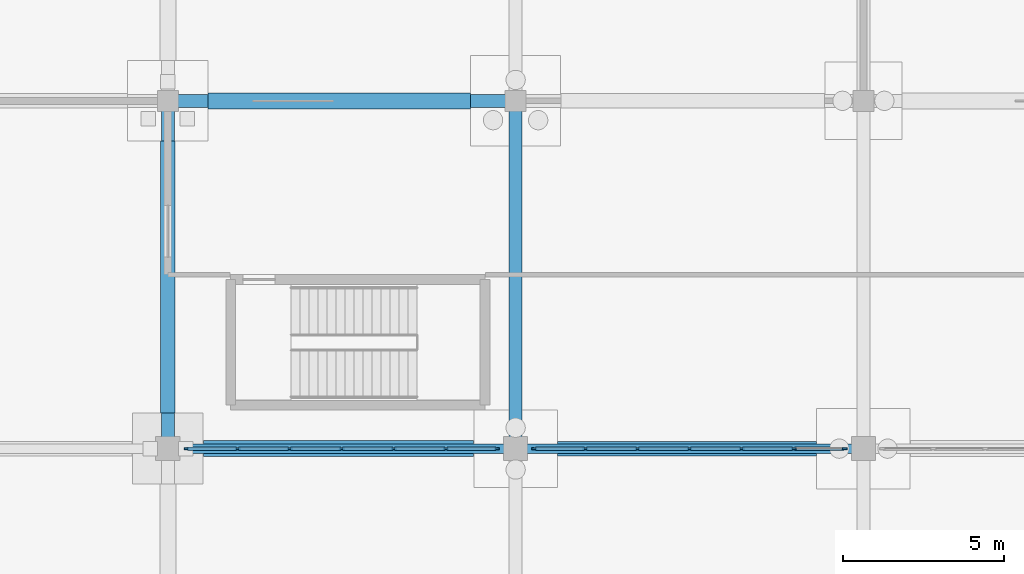
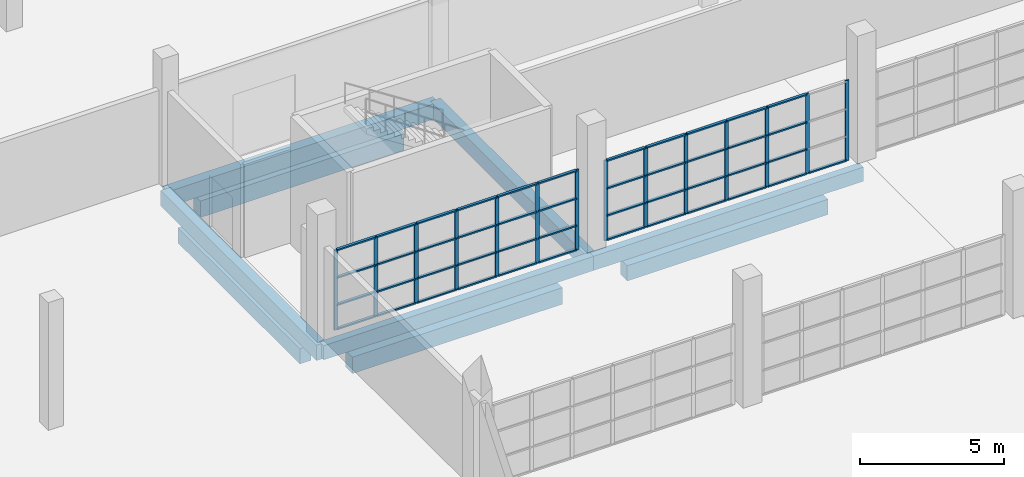
# One storey, part 53 of 138: 59 members, 9 beams, 2 elements without a shape of their own.
"""IFC4 building model written with IfcOpenShell, lengths in metres."""

from ifc_helpers import new_model, si_unit, direction, frame, origin, origin_2d, place, context, subcontext, project, spatial, rectangle, extrude, material, material_profile, profile_set, type_object, element, aggregate, save


model = new_model("IFC4")

# Units and contexts
model_context = context("Model", 3, precision=1e-05, world=origin(), true_north=direction((0.0, 1.0)))
body_context = subcontext(model_context, "Body", "Model", "MODEL_VIEW")
ifc_project = project(units=[si_unit("LENGTHUNIT", "METRE"), si_unit("AREAUNIT", "SQUARE_METRE"), si_unit("VOLUMEUNIT", "CUBIC_METRE"), si_unit("PLANEANGLEUNIT", "RADIAN"), si_unit("MASSUNIT", "GRAM", prefix="KILO")], contexts=[model_context])

# Site, building, storey
site_placement = place(None, origin())
site = spatial("IfcSite", under=ifc_project, at=site_placement, CompositionType="ELEMENT")
building_placement = place(site_placement, origin())
building = spatial("IfcBuilding", under=site, at=building_placement, Name="Zwinboog Wholesale Market", CompositionType="ELEMENT")
storey_placement = place(building_placement, origin())
storey = spatial("IfcBuildingStorey", under=building, at=storey_placement, Name="L00", CompositionType="ELEMENT", Elevation=0.0)

# Beams
ifc_material_1 = material(Name="Precast concrete C45/55", Category="concrete")
ifc_material_profile_1 = material_profile(ifc_material_1, rectangle(XDim=0.39990234375, YDim=0.64990234375, at=origin_2d()), Name="PC 400x650")
ifc_profile_set_1 = profile_set([ifc_material_profile_1], Name="Precast concrete C45/55")
beam_type_1 = type_object("IfcBeamType", Name="BT-05", PredefinedType="BEAM", material=ifc_profile_set_1)
for number, where, z_axis, x_axis, name in (
    (1, (64.800048828125, 108.0, -0.719970703125), (1.0, 0.0, 0.0), (0.0, 1.0, 0.0), "BG-05 (BMG-L00-0648-1080-0157)"),
    (2, (64.800048828125, 97.199951171875, -0.719970703125), (0.0, 1.0, 0.0), (-1.0, 0.0, 0.0), "BG-05 (BMG-L00-0648-0972-0282)"),
    (3, (75.60009765625, 97.199951171875, -0.719970703125), (0.0, 1.0, 0.0), (-1.0, 0.0, 0.0), "BG-05 (BMG-L00-0756-0972-0290)"),
):
    element("IfcBeam", number, at=place(storey_placement, frame(where, z_axis=z_axis, x_axis=x_axis)), inside=storey, type_object=beam_type_1, Name=name, PredefinedType="BEAM", context=body_context, shape_type="SweptSolid", body=[
        extrude(rectangle(XDim=0.39990234375, YDim=0.64990234375, at=origin_2d()), origin(), (0.0, 0.0, 1.0), 10.800048828125),
    ])
ifc_material_profile_2 = material_profile(ifc_material_1, rectangle(XDim=0.300048828125, YDim=0.60009765625, at=origin_2d()), Name="PC 300x600")
ifc_profile_set_2 = profile_set([ifc_material_profile_2], Name="Precast concrete C45/55")
beam_type_2 = type_object("IfcBeamType", Name="BT-09", PredefinedType="SPANDREL", material=ifc_profile_set_2)
beam_1_placement = place(storey_placement, frame((64.800048828125, 97.199951171875, -0.695068359375), z_axis=(1.0, 0.0, 0.0), x_axis=(0.0, 1.0, 0.0)))
element("IfcBeam", 4, at=beam_1_placement, inside=storey, type_object=beam_type_2, Name="SP-02 (BMG-L00-0648-0972-0137)", PredefinedType="SPANDREL", context=body_context, shape_type="SweptSolid", body=[
    extrude(rectangle(XDim=0.300048828125, YDim=0.60009765625, at=origin_2d()), origin(), (0.0, 0.0, 1.0), 10.800048828125),
])
beam_2_placement = place(storey_placement, frame((75.60009765625, 97.199951171875, -0.695068359375), z_axis=(1.0, 0.0, 0.0), x_axis=(0.0, 1.0, 0.0)))
element("IfcBeam", 5, at=beam_2_placement, inside=storey, type_object=beam_type_2, Name="SP-02 (BMG-L00-0756-0972-0138)", PredefinedType="SPANDREL", context=body_context, shape_type="SweptSolid", body=[
    extrude(rectangle(XDim=0.300048828125, YDim=0.60009765625, at=origin_2d()), origin(), (0.0, 0.0, 1.0), 10.7998046875),
])
ifc_material_2 = material(Name="Concrete C35/45", Category="concrete")
ifc_material_profile_3 = material_profile(ifc_material_2, rectangle(XDim=0.5, YDim=0.699951171875, at=origin_2d()), Name="RC 500x700")
ifc_profile_set_3 = profile_set([ifc_material_profile_3], Name="Concrete C35/45")
beam_type_3 = type_object("IfcBeamType", Name="BT-12", PredefinedType="USERDEFINED", material=ifc_profile_set_3)
beam_3_placement = place(storey_placement, frame((65.905029296875, 97.199951171875, -1.550048828125), z_axis=(1.0, 0.0, 0.0), x_axis=(0.0, 1.0, 0.0)))
element("IfcBeam", 6, at=beam_3_placement, inside=storey, type_object=beam_type_3, Name="GB-01 (BM-GB-0073)", ObjectType="GROUND_BEAM", PredefinedType="USERDEFINED", context=body_context, shape_type="SweptSolid", body=[
    extrude(rectangle(XDim=0.5, YDim=0.699951171875, at=origin_2d()), origin(), (0.0, 0.0, 1.0), 8.389892578125),
])
beam_4_placement = place(storey_placement, frame((66.054931640625, 108.0, -1.550048828125), z_axis=(1.0, 0.0, 0.0), x_axis=(0.0, 1.0, 0.0)))
element("IfcBeam", 7, at=beam_4_placement, inside=storey, type_object=beam_type_3, Name="GB-01 (BM-GB-0093)", ObjectType="GROUND_BEAM", PredefinedType="USERDEFINED", context=body_context, shape_type="SweptSolid", body=[
    extrude(rectangle(XDim=0.5, YDim=0.699951171875, at=origin_2d()), origin(), (0.0, 0.0, 1.0), 8.14013671875),
])
ifc_material_profile_4 = material_profile(ifc_material_2, rectangle(XDim=0.449951171875, YDim=0.64990234375, at=origin_2d()), Name="RC 450x650")
ifc_profile_set_4 = profile_set([ifc_material_profile_4], Name="Concrete C35/45")
beam_type_4 = type_object("IfcBeamType", Name="BT-13", PredefinedType="USERDEFINED", material=ifc_profile_set_4)
beam_5_placement = place(storey_placement, frame((76.905029296875, 97.199951171875, -1.52490234375), z_axis=(1.0, 0.0, 0.0), x_axis=(0.0, 1.0, 0.0)))
element("IfcBeam", 8, at=beam_5_placement, inside=storey, type_object=beam_type_4, Name="GB-02 (BM-GB-0074)", ObjectType="GROUND_BEAM", PredefinedType="USERDEFINED", context=body_context, shape_type="SweptSolid", body=[
    extrude(rectangle(XDim=0.449951171875, YDim=0.64990234375, at=origin_2d()), origin(), (0.0, 0.0, 1.0), 8.0400390625),
])
beam_6_placement = place(storey_placement, frame((64.800048828125, 98.304931640625, -1.52490234375), z_axis=(0.0, 1.0, 0.0), x_axis=(-1.0, 0.0, 0.0)))
element("IfcBeam", 9, at=beam_6_placement, inside=storey, type_object=beam_type_4, Name="GB-02 (BM-GB-0157)", ObjectType="GROUND_BEAM", PredefinedType="USERDEFINED", context=body_context, shape_type="SweptSolid", body=[
    extrude(rectangle(XDim=0.449951171875, YDim=0.64990234375, at=origin_2d()), origin(), (0.0, 0.0, 1.0), 8.440185546875),
])

# Curtain wall, members
ifc_material_3 = material(Name="Aluminium thermally broken curtain wall", Category="aluminium")
curtain_wall_type = type_object("IfcCurtainWallType", Name="CWT-INT-STALL", PredefinedType="USERDEFINED", material=ifc_material_3)
curtain_wall_1_placement = place(storey_placement, origin())
curtain_wall_1 = element("IfcCurtainWall", 10, at=curtain_wall_1_placement, inside=storey, type_object=curtain_wall_type, Name="CW-07 (CW-STL-199)", ObjectType="STOREFRONT_GLAZING", PredefinedType="USERDEFINED")
ifc_material_4 = material(Name="Aluminium EN AW-6060", Category="aluminium")
ifc_material_profile_5 = material_profile(ifc_material_4, rectangle(XDim=0.06005859375, YDim=0.14990234375, at=origin_2d()), Name="AL 60x150")
ifc_profile_set_5 = profile_set([ifc_material_profile_5], Name="Aluminium EN AW-6060")
member_type_1 = type_object("IfcMemberType", Name="CWM-INT-60x120", PredefinedType="MULLION", material=ifc_profile_set_5)
member_1_placement = place(storey_placement, frame((65.3798828125, 97.199951171875, 0.0), z_axis=(0.0, 0.0, 1.0), x_axis=(0.0, 1.0, 0.0)))
member_1 = element("IfcMember", 11, at=member_1_placement, type_object=member_type_1, Name="CW-07 mullion 1", PredefinedType="MULLION", context=body_context, shape_type="SweptSolid", body=[
    extrude(rectangle(XDim=0.06005859375, YDim=0.14990234375, at=origin_2d()), origin(), (0.0, 0.0, 1.0), 3.39990234375),
])
member_2_placement = place(storey_placement, frame((66.966552734375, 97.199951171875, 0.0), z_axis=(0.0, 0.0, 1.0), x_axis=(0.0, 1.0, 0.0)))
member_2 = element("IfcMember", 12, at=member_2_placement, type_object=member_type_1, Name="CW-07 mullion 2", PredefinedType="MULLION", context=body_context, shape_type="SweptSolid", body=[
    extrude(rectangle(XDim=0.06005859375, YDim=0.14990234375, at=origin_2d()), origin(), (0.0, 0.0, 1.0), 3.39990234375),
])
member_3_placement = place(storey_placement, frame((68.583251953125, 97.199951171875, 0.0), z_axis=(0.0, 0.0, 1.0), x_axis=(0.0, 1.0, 0.0)))
member_3 = element("IfcMember", 13, at=member_3_placement, type_object=member_type_1, Name="CW-07 mullion 3", PredefinedType="MULLION", context=body_context, shape_type="SweptSolid", body=[
    extrude(rectangle(XDim=0.06005859375, YDim=0.14990234375, at=origin_2d()), origin(), (0.0, 0.0, 1.0), 3.39990234375),
])
member_4_placement = place(storey_placement, frame((70.199951171875, 97.199951171875, 0.0), z_axis=(0.0, 0.0, 1.0), x_axis=(0.0, 1.0, 0.0)))
member_4 = element("IfcMember", 14, at=member_4_placement, type_object=member_type_1, Name="CW-07 mullion 4", PredefinedType="MULLION", context=body_context, shape_type="SweptSolid", body=[
    extrude(rectangle(XDim=0.06005859375, YDim=0.14990234375, at=origin_2d()), origin(), (0.0, 0.0, 1.0), 3.39990234375),
])
member_5_placement = place(storey_placement, frame((71.816650390625, 97.199951171875, 0.0), z_axis=(0.0, 0.0, 1.0), x_axis=(0.0, 1.0, 0.0)))
member_5 = element("IfcMember", 15, at=member_5_placement, type_object=member_type_1, Name="CW-07 mullion 5", PredefinedType="MULLION", context=body_context, shape_type="SweptSolid", body=[
    extrude(rectangle(XDim=0.06005859375, YDim=0.14990234375, at=origin_2d()), origin(), (0.0, 0.0, 1.0), 3.39990234375),
])
member_6_placement = place(storey_placement, frame((73.433349609375, 97.199951171875, 0.0), z_axis=(0.0, 0.0, 1.0), x_axis=(0.0, 1.0, 0.0)))
member_6 = element("IfcMember", 16, at=member_6_placement, type_object=member_type_1, Name="CW-07 mullion 6", PredefinedType="MULLION", context=body_context, shape_type="SweptSolid", body=[
    extrude(rectangle(XDim=0.06005859375, YDim=0.14990234375, at=origin_2d()), origin(), (0.0, 0.0, 1.0), 3.39990234375),
])
member_7_placement = place(storey_placement, frame((75.02001953125, 97.199951171875, 0.0), z_axis=(0.0, 0.0, 1.0), x_axis=(0.0, 1.0, 0.0)))
member_7 = element("IfcMember", 17, at=member_7_placement, type_object=member_type_1, Name="CW-07 mullion 7", PredefinedType="MULLION", context=body_context, shape_type="SweptSolid", body=[
    extrude(rectangle(XDim=0.06005859375, YDim=0.14990234375, at=origin_2d()), origin(), (0.0, 0.0, 1.0), 3.39990234375),
])

curtain_wall_2_placement = place(storey_placement, origin())
curtain_wall_2 = element("IfcCurtainWall", 18, at=curtain_wall_2_placement, inside=storey, type_object=curtain_wall_type, Name="CW-07 (CW-STL-200)", ObjectType="STOREFRONT_GLAZING", PredefinedType="USERDEFINED")
member_8_placement = place(storey_placement, frame((76.179931640625, 97.199951171875, 0.0), z_axis=(0.0, 0.0, 1.0), x_axis=(0.0, 1.0, 0.0)))
member_8 = element("IfcMember", 19, at=member_8_placement, type_object=member_type_1, Name="CW-07 mullion 1", PredefinedType="MULLION", context=body_context, shape_type="SweptSolid", body=[
    extrude(rectangle(XDim=0.06005859375, YDim=0.14990234375, at=origin_2d()), origin(), (0.0, 0.0, 1.0), 3.39990234375),
])
member_9_placement = place(storey_placement, frame((77.7666015625, 97.199951171875, 0.0), z_axis=(0.0, 0.0, 1.0), x_axis=(0.0, 1.0, 0.0)))
member_9 = element("IfcMember", 20, at=member_9_placement, type_object=member_type_1, Name="CW-07 mullion 2", PredefinedType="MULLION", context=body_context, shape_type="SweptSolid", body=[
    extrude(rectangle(XDim=0.06005859375, YDim=0.14990234375, at=origin_2d()), origin(), (0.0, 0.0, 1.0), 3.39990234375),
])
member_10_placement = place(storey_placement, frame((79.38330078125, 97.199951171875, 0.0), z_axis=(0.0, 0.0, 1.0), x_axis=(0.0, 1.0, 0.0)))
member_10 = element("IfcMember", 21, at=member_10_placement, type_object=member_type_1, Name="CW-07 mullion 3", PredefinedType="MULLION", context=body_context, shape_type="SweptSolid", body=[
    extrude(rectangle(XDim=0.06005859375, YDim=0.14990234375, at=origin_2d()), origin(), (0.0, 0.0, 1.0), 3.39990234375),
])
member_11_placement = place(storey_placement, frame((81.0, 97.199951171875, 0.0), z_axis=(0.0, 0.0, 1.0), x_axis=(0.0, 1.0, 0.0)))
member_11 = element("IfcMember", 22, at=member_11_placement, type_object=member_type_1, Name="CW-07 mullion 4", PredefinedType="MULLION", context=body_context, shape_type="SweptSolid", body=[
    extrude(rectangle(XDim=0.06005859375, YDim=0.14990234375, at=origin_2d()), origin(), (0.0, 0.0, 1.0), 3.39990234375),
])
member_12_placement = place(storey_placement, frame((82.61669921875, 97.199951171875, 0.0), z_axis=(0.0, 0.0, 1.0), x_axis=(0.0, 1.0, 0.0)))
member_12 = element("IfcMember", 23, at=member_12_placement, type_object=member_type_1, Name="CW-07 mullion 5", PredefinedType="MULLION", context=body_context, shape_type="SweptSolid", body=[
    extrude(rectangle(XDim=0.06005859375, YDim=0.14990234375, at=origin_2d()), origin(), (0.0, 0.0, 1.0), 3.39990234375),
])
member_13_placement = place(storey_placement, frame((84.2333984375, 97.199951171875, 0.0), z_axis=(0.0, 0.0, 1.0), x_axis=(0.0, 1.0, 0.0)))
member_13 = element("IfcMember", 24, at=member_13_placement, type_object=member_type_1, Name="CW-07 mullion 6", PredefinedType="MULLION", context=body_context, shape_type="SweptSolid", body=[
    extrude(rectangle(XDim=0.06005859375, YDim=0.14990234375, at=origin_2d()), origin(), (0.0, 0.0, 1.0), 3.39990234375),
])
member_14_placement = place(storey_placement, frame((85.820068359375, 97.199951171875, 0.0), z_axis=(0.0, 0.0, 1.0), x_axis=(0.0, 1.0, 0.0)))
member_14 = element("IfcMember", 25, at=member_14_placement, type_object=member_type_1, Name="CW-07 mullion 7", PredefinedType="MULLION", context=body_context, shape_type="SweptSolid", body=[
    extrude(rectangle(XDim=0.06005859375, YDim=0.14990234375, at=origin_2d()), origin(), (0.0, 0.0, 1.0), 3.39990234375),
])

# Member
ifc_material_profile_6 = material_profile(ifc_material_4, rectangle(XDim=0.110107421875, YDim=0.06005859375, at=origin_2d()), Name="AL 60x110")
ifc_profile_set_6 = profile_set([ifc_material_profile_6], Name="Aluminium EN AW-6060")
member_type_2 = type_object("IfcMemberType", Name="CWT-INT-60x100", PredefinedType="USERDEFINED", material=ifc_profile_set_6)
member_15_placement = place(storey_placement, frame((65.409912109375, 97.199951171875, 0.030029296875), z_axis=(1.0, 0.0, 0.0), x_axis=(0.0, 1.0, 0.0)))
member_15 = element("IfcMember", 26, at=member_15_placement, type_object=member_type_2, Name="CW-07 transom 1.1", ObjectType="TRANSOM", PredefinedType="USERDEFINED", context=body_context, shape_type="SweptSolid", body=[
    extrude(rectangle(XDim=0.110107421875, YDim=0.06005859375, at=origin_2d()), origin(), (0.0, 0.0, 1.0), 1.52685546875),
])

member_16_placement = place(storey_placement, frame((65.409912109375, 97.199951171875, 1.050048828125), z_axis=(1.0, 0.0, 0.0), x_axis=(0.0, 1.0, 0.0)))
member_16 = element("IfcMember", 27, at=member_16_placement, type_object=member_type_2, Name="CW-07 transom 1.2", ObjectType="TRANSOM", PredefinedType="USERDEFINED", context=body_context, shape_type="SweptSolid", body=[
    extrude(rectangle(XDim=0.110107421875, YDim=0.06005859375, at=origin_2d()), origin(), (0.0, 0.0, 1.0), 1.52685546875),
])

member_17_placement = place(storey_placement, frame((65.409912109375, 97.199951171875, 2.199951171875), z_axis=(1.0, 0.0, 0.0), x_axis=(0.0, 1.0, 0.0)))
member_17 = element("IfcMember", 28, at=member_17_placement, type_object=member_type_2, Name="CW-07 transom 1.3", ObjectType="TRANSOM", PredefinedType="USERDEFINED", context=body_context, shape_type="SweptSolid", body=[
    extrude(rectangle(XDim=0.110107421875, YDim=0.06005859375, at=origin_2d()), origin(), (0.0, 0.0, 1.0), 1.52685546875),
])

member_18_placement = place(storey_placement, frame((65.409912109375, 97.199951171875, 3.3701171875), z_axis=(1.0, 0.0, 0.0), x_axis=(0.0, 1.0, 0.0)))
member_18 = element("IfcMember", 29, at=member_18_placement, type_object=member_type_2, Name="CW-07 transom 1.4", ObjectType="TRANSOM", PredefinedType="USERDEFINED", context=body_context, shape_type="SweptSolid", body=[
    extrude(rectangle(XDim=0.110107421875, YDim=0.06005859375, at=origin_2d()), origin(), (0.0, 0.0, 1.0), 1.52685546875),
])

member_19_placement = place(storey_placement, frame((66.99658203125, 97.199951171875, 0.030029296875), z_axis=(1.0, 0.0, 0.0), x_axis=(0.0, 1.0, 0.0)))
member_19 = element("IfcMember", 30, at=member_19_placement, type_object=member_type_2, Name="CW-07 transom 2.1", ObjectType="TRANSOM", PredefinedType="USERDEFINED", context=body_context, shape_type="SweptSolid", body=[
    extrude(rectangle(XDim=0.110107421875, YDim=0.06005859375, at=origin_2d()), origin(), (0.0, 0.0, 1.0), 1.556640625),
])

member_20_placement = place(storey_placement, frame((66.99658203125, 97.199951171875, 1.050048828125), z_axis=(1.0, 0.0, 0.0), x_axis=(0.0, 1.0, 0.0)))
member_20 = element("IfcMember", 31, at=member_20_placement, type_object=member_type_2, Name="CW-07 transom 2.2", ObjectType="TRANSOM", PredefinedType="USERDEFINED", context=body_context, shape_type="SweptSolid", body=[
    extrude(rectangle(XDim=0.110107421875, YDim=0.06005859375, at=origin_2d()), origin(), (0.0, 0.0, 1.0), 1.556640625),
])

member_21_placement = place(storey_placement, frame((66.99658203125, 97.199951171875, 2.199951171875), z_axis=(1.0, 0.0, 0.0), x_axis=(0.0, 1.0, 0.0)))
member_21 = element("IfcMember", 32, at=member_21_placement, type_object=member_type_2, Name="CW-07 transom 2.3", ObjectType="TRANSOM", PredefinedType="USERDEFINED", context=body_context, shape_type="SweptSolid", body=[
    extrude(rectangle(XDim=0.110107421875, YDim=0.06005859375, at=origin_2d()), origin(), (0.0, 0.0, 1.0), 1.556640625),
])

member_22_placement = place(storey_placement, frame((66.99658203125, 97.199951171875, 3.3701171875), z_axis=(1.0, 0.0, 0.0), x_axis=(0.0, 1.0, 0.0)))
member_22 = element("IfcMember", 33, at=member_22_placement, type_object=member_type_2, Name="CW-07 transom 2.4", ObjectType="TRANSOM", PredefinedType="USERDEFINED", context=body_context, shape_type="SweptSolid", body=[
    extrude(rectangle(XDim=0.110107421875, YDim=0.06005859375, at=origin_2d()), origin(), (0.0, 0.0, 1.0), 1.556640625),
])

member_23_placement = place(storey_placement, frame((68.61328125, 97.199951171875, 0.030029296875), z_axis=(1.0, 0.0, 0.0), x_axis=(0.0, 1.0, 0.0)))
member_23 = element("IfcMember", 34, at=member_23_placement, type_object=member_type_2, Name="CW-07 transom 3.1", ObjectType="TRANSOM", PredefinedType="USERDEFINED", context=body_context, shape_type="SweptSolid", body=[
    extrude(rectangle(XDim=0.110107421875, YDim=0.06005859375, at=origin_2d()), origin(), (0.0, 0.0, 1.0), 1.556640625),
])

member_24_placement = place(storey_placement, frame((68.61328125, 97.199951171875, 1.050048828125), z_axis=(1.0, 0.0, 0.0), x_axis=(0.0, 1.0, 0.0)))
member_24 = element("IfcMember", 35, at=member_24_placement, type_object=member_type_2, Name="CW-07 transom 3.2", ObjectType="TRANSOM", PredefinedType="USERDEFINED", context=body_context, shape_type="SweptSolid", body=[
    extrude(rectangle(XDim=0.110107421875, YDim=0.06005859375, at=origin_2d()), origin(), (0.0, 0.0, 1.0), 1.556640625),
])

member_25_placement = place(storey_placement, frame((68.61328125, 97.199951171875, 2.199951171875), z_axis=(1.0, 0.0, 0.0), x_axis=(0.0, 1.0, 0.0)))
member_25 = element("IfcMember", 36, at=member_25_placement, type_object=member_type_2, Name="CW-07 transom 3.3", ObjectType="TRANSOM", PredefinedType="USERDEFINED", context=body_context, shape_type="SweptSolid", body=[
    extrude(rectangle(XDim=0.110107421875, YDim=0.06005859375, at=origin_2d()), origin(), (0.0, 0.0, 1.0), 1.556640625),
])

member_26_placement = place(storey_placement, frame((68.61328125, 97.199951171875, 3.3701171875), z_axis=(1.0, 0.0, 0.0), x_axis=(0.0, 1.0, 0.0)))
member_26 = element("IfcMember", 37, at=member_26_placement, type_object=member_type_2, Name="CW-07 transom 3.4", ObjectType="TRANSOM", PredefinedType="USERDEFINED", context=body_context, shape_type="SweptSolid", body=[
    extrude(rectangle(XDim=0.110107421875, YDim=0.06005859375, at=origin_2d()), origin(), (0.0, 0.0, 1.0), 1.556640625),
])

member_27_placement = place(storey_placement, frame((70.22998046875, 97.199951171875, 0.030029296875), z_axis=(1.0, 0.0, 0.0), x_axis=(0.0, 1.0, 0.0)))
member_27 = element("IfcMember", 38, at=member_27_placement, type_object=member_type_2, Name="CW-07 transom 4.1", ObjectType="TRANSOM", PredefinedType="USERDEFINED", context=body_context, shape_type="SweptSolid", body=[
    extrude(rectangle(XDim=0.110107421875, YDim=0.06005859375, at=origin_2d()), origin(), (0.0, 0.0, 1.0), 1.556640625),
])

member_28_placement = place(storey_placement, frame((70.22998046875, 97.199951171875, 1.050048828125), z_axis=(1.0, 0.0, 0.0), x_axis=(0.0, 1.0, 0.0)))
member_28 = element("IfcMember", 39, at=member_28_placement, type_object=member_type_2, Name="CW-07 transom 4.2", ObjectType="TRANSOM", PredefinedType="USERDEFINED", context=body_context, shape_type="SweptSolid", body=[
    extrude(rectangle(XDim=0.110107421875, YDim=0.06005859375, at=origin_2d()), origin(), (0.0, 0.0, 1.0), 1.556640625),
])

member_29_placement = place(storey_placement, frame((70.22998046875, 97.199951171875, 2.199951171875), z_axis=(1.0, 0.0, 0.0), x_axis=(0.0, 1.0, 0.0)))
member_29 = element("IfcMember", 40, at=member_29_placement, type_object=member_type_2, Name="CW-07 transom 4.3", ObjectType="TRANSOM", PredefinedType="USERDEFINED", context=body_context, shape_type="SweptSolid", body=[
    extrude(rectangle(XDim=0.110107421875, YDim=0.06005859375, at=origin_2d()), origin(), (0.0, 0.0, 1.0), 1.556640625),
])

member_30_placement = place(storey_placement, frame((70.22998046875, 97.199951171875, 3.3701171875), z_axis=(1.0, 0.0, 0.0), x_axis=(0.0, 1.0, 0.0)))
member_30 = element("IfcMember", 41, at=member_30_placement, type_object=member_type_2, Name="CW-07 transom 4.4", ObjectType="TRANSOM", PredefinedType="USERDEFINED", context=body_context, shape_type="SweptSolid", body=[
    extrude(rectangle(XDim=0.110107421875, YDim=0.06005859375, at=origin_2d()), origin(), (0.0, 0.0, 1.0), 1.556640625),
])

member_31_placement = place(storey_placement, frame((71.8466796875, 97.199951171875, 0.030029296875), z_axis=(1.0, 0.0, 0.0), x_axis=(0.0, 1.0, 0.0)))
member_31 = element("IfcMember", 42, at=member_31_placement, type_object=member_type_2, Name="CW-07 transom 5.1", ObjectType="TRANSOM", PredefinedType="USERDEFINED", context=body_context, shape_type="SweptSolid", body=[
    extrude(rectangle(XDim=0.110107421875, YDim=0.06005859375, at=origin_2d()), origin(), (0.0, 0.0, 1.0), 1.556640625),
])

member_32_placement = place(storey_placement, frame((71.8466796875, 97.199951171875, 1.050048828125), z_axis=(1.0, 0.0, 0.0), x_axis=(0.0, 1.0, 0.0)))
member_32 = element("IfcMember", 43, at=member_32_placement, type_object=member_type_2, Name="CW-07 transom 5.2", ObjectType="TRANSOM", PredefinedType="USERDEFINED", context=body_context, shape_type="SweptSolid", body=[
    extrude(rectangle(XDim=0.110107421875, YDim=0.06005859375, at=origin_2d()), origin(), (0.0, 0.0, 1.0), 1.556640625),
])

member_33_placement = place(storey_placement, frame((71.8466796875, 97.199951171875, 2.199951171875), z_axis=(1.0, 0.0, 0.0), x_axis=(0.0, 1.0, 0.0)))
member_33 = element("IfcMember", 44, at=member_33_placement, type_object=member_type_2, Name="CW-07 transom 5.3", ObjectType="TRANSOM", PredefinedType="USERDEFINED", context=body_context, shape_type="SweptSolid", body=[
    extrude(rectangle(XDim=0.110107421875, YDim=0.06005859375, at=origin_2d()), origin(), (0.0, 0.0, 1.0), 1.556640625),
])

member_34_placement = place(storey_placement, frame((71.8466796875, 97.199951171875, 3.3701171875), z_axis=(1.0, 0.0, 0.0), x_axis=(0.0, 1.0, 0.0)))
member_34 = element("IfcMember", 45, at=member_34_placement, type_object=member_type_2, Name="CW-07 transom 5.4", ObjectType="TRANSOM", PredefinedType="USERDEFINED", context=body_context, shape_type="SweptSolid", body=[
    extrude(rectangle(XDim=0.110107421875, YDim=0.06005859375, at=origin_2d()), origin(), (0.0, 0.0, 1.0), 1.556640625),
])

member_35_placement = place(storey_placement, frame((73.46337890625, 97.199951171875, 0.030029296875), z_axis=(1.0, 0.0, 0.0), x_axis=(0.0, 1.0, 0.0)))
member_35 = element("IfcMember", 46, at=member_35_placement, type_object=member_type_2, Name="CW-07 transom 6.1", ObjectType="TRANSOM", PredefinedType="USERDEFINED", context=body_context, shape_type="SweptSolid", body=[
    extrude(rectangle(XDim=0.110107421875, YDim=0.06005859375, at=origin_2d()), origin(), (0.0, 0.0, 1.0), 1.526611328125),
])

member_36_placement = place(storey_placement, frame((73.46337890625, 97.199951171875, 1.050048828125), z_axis=(1.0, 0.0, 0.0), x_axis=(0.0, 1.0, 0.0)))
member_36 = element("IfcMember", 47, at=member_36_placement, type_object=member_type_2, Name="CW-07 transom 6.2", ObjectType="TRANSOM", PredefinedType="USERDEFINED", context=body_context, shape_type="SweptSolid", body=[
    extrude(rectangle(XDim=0.110107421875, YDim=0.06005859375, at=origin_2d()), origin(), (0.0, 0.0, 1.0), 1.526611328125),
])

member_37_placement = place(storey_placement, frame((73.46337890625, 97.199951171875, 2.199951171875), z_axis=(1.0, 0.0, 0.0), x_axis=(0.0, 1.0, 0.0)))
member_37 = element("IfcMember", 48, at=member_37_placement, type_object=member_type_2, Name="CW-07 transom 6.3", ObjectType="TRANSOM", PredefinedType="USERDEFINED", context=body_context, shape_type="SweptSolid", body=[
    extrude(rectangle(XDim=0.110107421875, YDim=0.06005859375, at=origin_2d()), origin(), (0.0, 0.0, 1.0), 1.526611328125),
])

member_38_placement = place(storey_placement, frame((73.46337890625, 97.199951171875, 3.3701171875), z_axis=(1.0, 0.0, 0.0), x_axis=(0.0, 1.0, 0.0)))
member_38 = element("IfcMember", 49, at=member_38_placement, type_object=member_type_2, Name="CW-07 transom 6.4", ObjectType="TRANSOM", PredefinedType="USERDEFINED", context=body_context, shape_type="SweptSolid", body=[
    extrude(rectangle(XDim=0.110107421875, YDim=0.06005859375, at=origin_2d()), origin(), (0.0, 0.0, 1.0), 1.526611328125),
])

aggregate(curtain_wall_1, [member_1, member_2, member_3, member_4, member_5, member_6, member_7, member_15, member_16, member_17, member_18, member_19, member_20, member_21, member_22, member_23, member_24, member_25, member_26, member_27, member_28, member_29, member_30, member_31, member_32, member_33, member_34, member_35, member_36, member_37, member_38])

member_39_placement = place(storey_placement, frame((76.2099609375, 97.199951171875, 0.030029296875), z_axis=(1.0, 0.0, 0.0), x_axis=(0.0, 1.0, 0.0)))
member_39 = element("IfcMember", 50, at=member_39_placement, type_object=member_type_2, Name="CW-07 transom 1.1", ObjectType="TRANSOM", PredefinedType="USERDEFINED", context=body_context, shape_type="SweptSolid", body=[
    extrude(rectangle(XDim=0.110107421875, YDim=0.06005859375, at=origin_2d()), origin(), (0.0, 0.0, 1.0), 1.526611328125),
])

member_40_placement = place(storey_placement, frame((76.2099609375, 97.199951171875, 1.050048828125), z_axis=(1.0, 0.0, 0.0), x_axis=(0.0, 1.0, 0.0)))
member_40 = element("IfcMember", 51, at=member_40_placement, type_object=member_type_2, Name="CW-07 transom 1.2", ObjectType="TRANSOM", PredefinedType="USERDEFINED", context=body_context, shape_type="SweptSolid", body=[
    extrude(rectangle(XDim=0.110107421875, YDim=0.06005859375, at=origin_2d()), origin(), (0.0, 0.0, 1.0), 1.526611328125),
])

member_41_placement = place(storey_placement, frame((76.2099609375, 97.199951171875, 2.199951171875), z_axis=(1.0, 0.0, 0.0), x_axis=(0.0, 1.0, 0.0)))
member_41 = element("IfcMember", 52, at=member_41_placement, type_object=member_type_2, Name="CW-07 transom 1.3", ObjectType="TRANSOM", PredefinedType="USERDEFINED", context=body_context, shape_type="SweptSolid", body=[
    extrude(rectangle(XDim=0.110107421875, YDim=0.06005859375, at=origin_2d()), origin(), (0.0, 0.0, 1.0), 1.526611328125),
])

member_42_placement = place(storey_placement, frame((76.2099609375, 97.199951171875, 3.3701171875), z_axis=(1.0, 0.0, 0.0), x_axis=(0.0, 1.0, 0.0)))
member_42 = element("IfcMember", 53, at=member_42_placement, type_object=member_type_2, Name="CW-07 transom 1.4", ObjectType="TRANSOM", PredefinedType="USERDEFINED", context=body_context, shape_type="SweptSolid", body=[
    extrude(rectangle(XDim=0.110107421875, YDim=0.06005859375, at=origin_2d()), origin(), (0.0, 0.0, 1.0), 1.526611328125),
])

member_43_placement = place(storey_placement, frame((77.796630859375, 97.199951171875, 0.030029296875), z_axis=(1.0, 0.0, 0.0), x_axis=(0.0, 1.0, 0.0)))
member_43 = element("IfcMember", 54, at=member_43_placement, type_object=member_type_2, Name="CW-07 transom 2.1", ObjectType="TRANSOM", PredefinedType="USERDEFINED", context=body_context, shape_type="SweptSolid", body=[
    extrude(rectangle(XDim=0.110107421875, YDim=0.06005859375, at=origin_2d()), origin(), (0.0, 0.0, 1.0), 1.556640625),
])

member_44_placement = place(storey_placement, frame((77.796630859375, 97.199951171875, 1.050048828125), z_axis=(1.0, 0.0, 0.0), x_axis=(0.0, 1.0, 0.0)))
member_44 = element("IfcMember", 55, at=member_44_placement, type_object=member_type_2, Name="CW-07 transom 2.2", ObjectType="TRANSOM", PredefinedType="USERDEFINED", context=body_context, shape_type="SweptSolid", body=[
    extrude(rectangle(XDim=0.110107421875, YDim=0.06005859375, at=origin_2d()), origin(), (0.0, 0.0, 1.0), 1.556640625),
])

member_45_placement = place(storey_placement, frame((77.796630859375, 97.199951171875, 2.199951171875), z_axis=(1.0, 0.0, 0.0), x_axis=(0.0, 1.0, 0.0)))
member_45 = element("IfcMember", 56, at=member_45_placement, type_object=member_type_2, Name="CW-07 transom 2.3", ObjectType="TRANSOM", PredefinedType="USERDEFINED", context=body_context, shape_type="SweptSolid", body=[
    extrude(rectangle(XDim=0.110107421875, YDim=0.06005859375, at=origin_2d()), origin(), (0.0, 0.0, 1.0), 1.556640625),
])

member_46_placement = place(storey_placement, frame((77.796630859375, 97.199951171875, 3.3701171875), z_axis=(1.0, 0.0, 0.0), x_axis=(0.0, 1.0, 0.0)))
member_46 = element("IfcMember", 57, at=member_46_placement, type_object=member_type_2, Name="CW-07 transom 2.4", ObjectType="TRANSOM", PredefinedType="USERDEFINED", context=body_context, shape_type="SweptSolid", body=[
    extrude(rectangle(XDim=0.110107421875, YDim=0.06005859375, at=origin_2d()), origin(), (0.0, 0.0, 1.0), 1.556640625),
])

member_47_placement = place(storey_placement, frame((79.413330078125, 97.199951171875, 0.030029296875), z_axis=(1.0, 0.0, 0.0), x_axis=(0.0, 1.0, 0.0)))
member_47 = element("IfcMember", 58, at=member_47_placement, type_object=member_type_2, Name="CW-07 transom 3.1", ObjectType="TRANSOM", PredefinedType="USERDEFINED", context=body_context, shape_type="SweptSolid", body=[
    extrude(rectangle(XDim=0.110107421875, YDim=0.06005859375, at=origin_2d()), origin(), (0.0, 0.0, 1.0), 1.556640625),
])

member_48_placement = place(storey_placement, frame((79.413330078125, 97.199951171875, 1.050048828125), z_axis=(1.0, 0.0, 0.0), x_axis=(0.0, 1.0, 0.0)))
member_48 = element("IfcMember", 59, at=member_48_placement, type_object=member_type_2, Name="CW-07 transom 3.2", ObjectType="TRANSOM", PredefinedType="USERDEFINED", context=body_context, shape_type="SweptSolid", body=[
    extrude(rectangle(XDim=0.110107421875, YDim=0.06005859375, at=origin_2d()), origin(), (0.0, 0.0, 1.0), 1.556640625),
])

member_49_placement = place(storey_placement, frame((79.413330078125, 97.199951171875, 2.199951171875), z_axis=(1.0, 0.0, 0.0), x_axis=(0.0, 1.0, 0.0)))
member_49 = element("IfcMember", 60, at=member_49_placement, type_object=member_type_2, Name="CW-07 transom 3.3", ObjectType="TRANSOM", PredefinedType="USERDEFINED", context=body_context, shape_type="SweptSolid", body=[
    extrude(rectangle(XDim=0.110107421875, YDim=0.06005859375, at=origin_2d()), origin(), (0.0, 0.0, 1.0), 1.556640625),
])

member_50_placement = place(storey_placement, frame((79.413330078125, 97.199951171875, 3.3701171875), z_axis=(1.0, 0.0, 0.0), x_axis=(0.0, 1.0, 0.0)))
member_50 = element("IfcMember", 61, at=member_50_placement, type_object=member_type_2, Name="CW-07 transom 3.4", ObjectType="TRANSOM", PredefinedType="USERDEFINED", context=body_context, shape_type="SweptSolid", body=[
    extrude(rectangle(XDim=0.110107421875, YDim=0.06005859375, at=origin_2d()), origin(), (0.0, 0.0, 1.0), 1.556640625),
])

member_51_placement = place(storey_placement, frame((81.030029296875, 97.199951171875, 0.030029296875), z_axis=(1.0, 0.0, 0.0), x_axis=(0.0, 1.0, 0.0)))
member_51 = element("IfcMember", 62, at=member_51_placement, type_object=member_type_2, Name="CW-07 transom 4.1", ObjectType="TRANSOM", PredefinedType="USERDEFINED", context=body_context, shape_type="SweptSolid", body=[
    extrude(rectangle(XDim=0.110107421875, YDim=0.06005859375, at=origin_2d()), origin(), (0.0, 0.0, 1.0), 1.556640625),
])

member_52_placement = place(storey_placement, frame((81.030029296875, 97.199951171875, 1.050048828125), z_axis=(1.0, 0.0, 0.0), x_axis=(0.0, 1.0, 0.0)))
member_52 = element("IfcMember", 63, at=member_52_placement, type_object=member_type_2, Name="CW-07 transom 4.2", ObjectType="TRANSOM", PredefinedType="USERDEFINED", context=body_context, shape_type="SweptSolid", body=[
    extrude(rectangle(XDim=0.110107421875, YDim=0.06005859375, at=origin_2d()), origin(), (0.0, 0.0, 1.0), 1.556640625),
])

member_53_placement = place(storey_placement, frame((81.030029296875, 97.199951171875, 2.199951171875), z_axis=(1.0, 0.0, 0.0), x_axis=(0.0, 1.0, 0.0)))
member_53 = element("IfcMember", 64, at=member_53_placement, type_object=member_type_2, Name="CW-07 transom 4.3", ObjectType="TRANSOM", PredefinedType="USERDEFINED", context=body_context, shape_type="SweptSolid", body=[
    extrude(rectangle(XDim=0.110107421875, YDim=0.06005859375, at=origin_2d()), origin(), (0.0, 0.0, 1.0), 1.556640625),
])

member_54_placement = place(storey_placement, frame((81.030029296875, 97.199951171875, 3.3701171875), z_axis=(1.0, 0.0, 0.0), x_axis=(0.0, 1.0, 0.0)))
member_54 = element("IfcMember", 65, at=member_54_placement, type_object=member_type_2, Name="CW-07 transom 4.4", ObjectType="TRANSOM", PredefinedType="USERDEFINED", context=body_context, shape_type="SweptSolid", body=[
    extrude(rectangle(XDim=0.110107421875, YDim=0.06005859375, at=origin_2d()), origin(), (0.0, 0.0, 1.0), 1.556640625),
])

member_55_placement = place(storey_placement, frame((82.646728515625, 97.199951171875, 0.030029296875), z_axis=(1.0, 0.0, 0.0), x_axis=(0.0, 1.0, 0.0)))
member_55 = element("IfcMember", 66, at=member_55_placement, type_object=member_type_2, Name="CW-07 transom 5.1", ObjectType="TRANSOM", PredefinedType="USERDEFINED", context=body_context, shape_type="SweptSolid", body=[
    extrude(rectangle(XDim=0.110107421875, YDim=0.06005859375, at=origin_2d()), origin(), (0.0, 0.0, 1.0), 1.556640625),
])

member_56_placement = place(storey_placement, frame((82.646728515625, 97.199951171875, 1.050048828125), z_axis=(1.0, 0.0, 0.0), x_axis=(0.0, 1.0, 0.0)))
member_56 = element("IfcMember", 67, at=member_56_placement, type_object=member_type_2, Name="CW-07 transom 5.2", ObjectType="TRANSOM", PredefinedType="USERDEFINED", context=body_context, shape_type="SweptSolid", body=[
    extrude(rectangle(XDim=0.110107421875, YDim=0.06005859375, at=origin_2d()), origin(), (0.0, 0.0, 1.0), 1.556640625),
])

member_57_placement = place(storey_placement, frame((82.646728515625, 97.199951171875, 2.199951171875), z_axis=(1.0, 0.0, 0.0), x_axis=(0.0, 1.0, 0.0)))
member_57 = element("IfcMember", 68, at=member_57_placement, type_object=member_type_2, Name="CW-07 transom 5.3", ObjectType="TRANSOM", PredefinedType="USERDEFINED", context=body_context, shape_type="SweptSolid", body=[
    extrude(rectangle(XDim=0.110107421875, YDim=0.06005859375, at=origin_2d()), origin(), (0.0, 0.0, 1.0), 1.556640625),
])

member_58_placement = place(storey_placement, frame((82.646728515625, 97.199951171875, 3.3701171875), z_axis=(1.0, 0.0, 0.0), x_axis=(0.0, 1.0, 0.0)))
member_58 = element("IfcMember", 69, at=member_58_placement, type_object=member_type_2, Name="CW-07 transom 5.4", ObjectType="TRANSOM", PredefinedType="USERDEFINED", context=body_context, shape_type="SweptSolid", body=[
    extrude(rectangle(XDim=0.110107421875, YDim=0.06005859375, at=origin_2d()), origin(), (0.0, 0.0, 1.0), 1.556640625),
])

member_59_placement = place(storey_placement, frame((84.263427734375, 97.199951171875, 0.030029296875), z_axis=(1.0, 0.0, 0.0), x_axis=(0.0, 1.0, 0.0)))
member_59 = element("IfcMember", 70, at=member_59_placement, type_object=member_type_2, Name="CW-07 transom 6.1", ObjectType="TRANSOM", PredefinedType="USERDEFINED", context=body_context, shape_type="SweptSolid", body=[
    extrude(rectangle(XDim=0.110107421875, YDim=0.06005859375, at=origin_2d()), origin(), (0.0, 0.0, 1.0), 1.526611328125),
])

aggregate(curtain_wall_2, [member_8, member_9, member_10, member_11, member_12, member_13, member_14, member_39, member_40, member_41, member_42, member_43, member_44, member_45, member_46, member_47, member_48, member_49, member_50, member_51, member_52, member_53, member_54, member_55, member_56, member_57, member_58, member_59])

save(model, "model.ifc")
